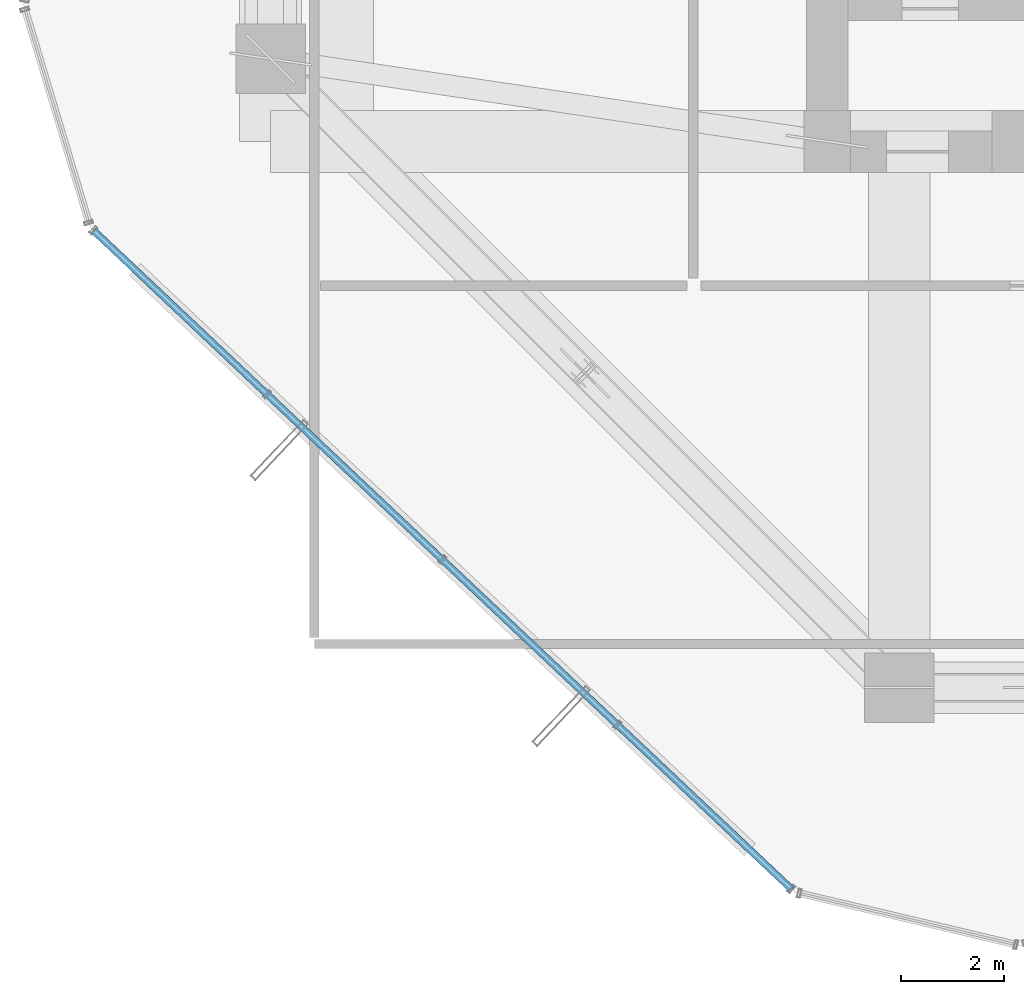
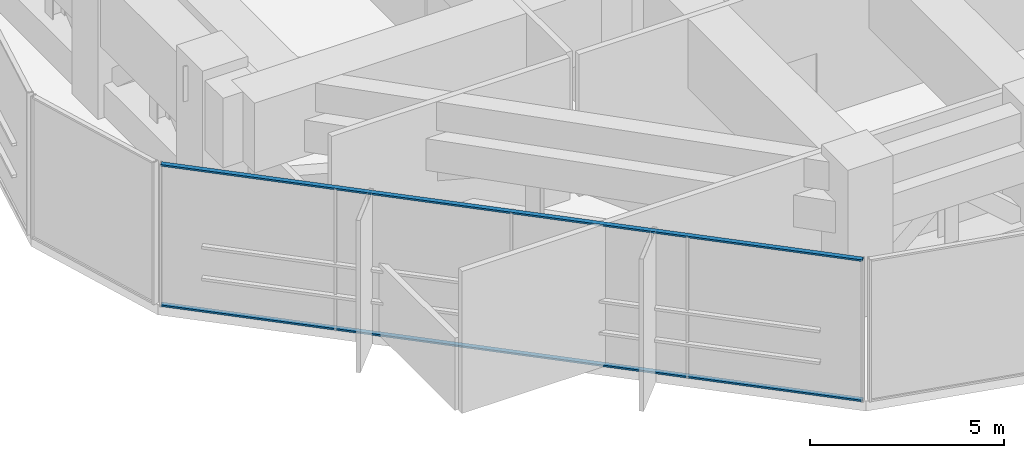
# One storey, part 3 of 41: 2 members, 1 element without a shape of its own.
"""IFC4 building model written with IfcOpenShell, lengths in metres."""

from ifc_helpers import new_model, si_unit, direction, frame, origin, origin_2d, place, context, subcontext, project, spatial, hollow_rectangle, extrude, source, transform, mapped, material, layer, layer_set, material_profile, profile_set, type_object, element, aggregate, save


model = new_model("IFC4")

# Units and contexts
model_context = context("Model", 3, precision=1e-05, world=origin(), true_north=direction((0.0, 1.0)))
body_context = subcontext(model_context, "Body", "Model", "MODEL_VIEW")
ifc_project = project(units=[si_unit("LENGTHUNIT", "METRE"), si_unit("AREAUNIT", "SQUARE_METRE"), si_unit("VOLUMEUNIT", "CUBIC_METRE"), si_unit("PLANEANGLEUNIT", "RADIAN"), si_unit("MASSUNIT", "GRAM", prefix="KILO")], contexts=[model_context])

# Site, building, storey
site_placement = place(None, origin())
site = spatial("IfcSite", under=ifc_project, at=site_placement, CompositionType="ELEMENT")
building_placement = place(site_placement, origin())
building = spatial("IfcBuilding", under=site, at=building_placement, Name="Veraguas Prism Commons", CompositionType="ELEMENT")
storey_placement = place(building_placement, frame((0.0, 0.0, 80.35009765625)))
storey = spatial("IfcBuildingStorey", under=building, at=storey_placement, Name="L22", CompositionType="ELEMENT", Elevation=80.35009765625)

# Curtain wall, members
ifc_material = material(Name="Anodised aluminium EN AW-6063 T6", Category="aluminium")
ifc_layer = layer(ifc_material, 0.169921875, Name="Unitised Flush Curtain Wall Zone 1", Category="aluminium")
ifc_layer_set = layer_set([ifc_layer], Name="Anodised aluminium EN AW-6063 T6")
curtain_wall_type = type_object("IfcCurtainWallType", Name="Unitised Flush Curtain Wall Zone 1", PredefinedType="NOTDEFINED", material=ifc_layer_set)
curtain_wall_placement = place(storey_placement, origin())
curtain_wall = element("IfcCurtainWall", 1, at=curtain_wall_placement, inside=storey, type_object=curtain_wall_type, Name="Tower Facade Curtain Wall L22-F4", PredefinedType="NOTDEFINED")
ifc_material_profile = material_profile(ifc_material, hollow_rectangle(XDim=0.054931640625, YDim=0.135009765625, WallThickness=0.0029296875, at=origin_2d()), Name="AL55X135X3")
ifc_profile_set = profile_set([ifc_material_profile], Name="Anodised aluminium EN AW-6063 T6")
member_type = type_object("IfcMemberType", Name="Curtain Wall Transom Standard AL 55x135x3", PredefinedType="USERDEFINED", material=ifc_profile_set)
shared_shape = source(origin(), body_context, "Body", "SweptSolid", [
    extrude(hollow_rectangle(XDim=0.054931640625, YDim=0.135009765625, WallThickness=0.0029296875, at=origin_2d()), origin(), (0.0, 0.0, 1.0), 18.6240234375),
])
member_1_placement = place(storey_placement, frame((2.96240234375, 15.2744140625, 0.02734375), z_axis=(0.727299198756, -0.686320534072, 0.0), x_axis=(0.0, 0.0, 1.0)))
member_1 = element("IfcMember", 2, at=member_1_placement, type_object=member_type, Name="CW-Z1 Transom 1", ObjectType="TRANSOM", PredefinedType="USERDEFINED", context=body_context, shape_type="MappedRepresentation", body=[
    mapped(shared_shape, transform((0.0, 0.0, 0.0), scale=1.0)),
])
member_2_placement = place(storey_placement, frame((2.96240234375, 15.2744140625, 4.452392578125), z_axis=(0.727299198756, -0.686320534072, 0.0), x_axis=(0.0, 0.0, 1.0)))
member_2 = element("IfcMember", 3, at=member_2_placement, type_object=member_type, Name="CW-Z1 Transom 2", ObjectType="TRANSOM", PredefinedType="USERDEFINED", context=body_context, shape_type="MappedRepresentation", body=[
    mapped(shared_shape, transform((0.0, 0.0, 0.0), scale=1.0)),
])
aggregate(curtain_wall, [member_1, member_2])

save(model, "model.ifc")
